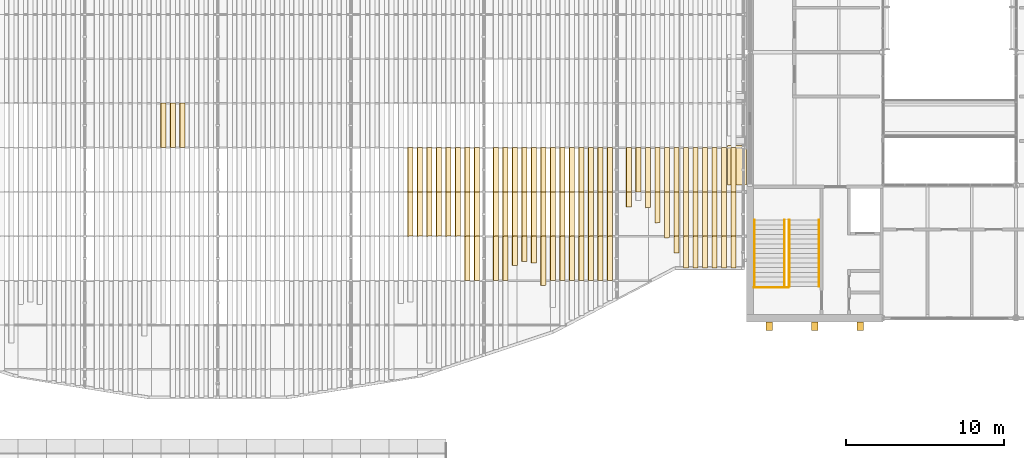
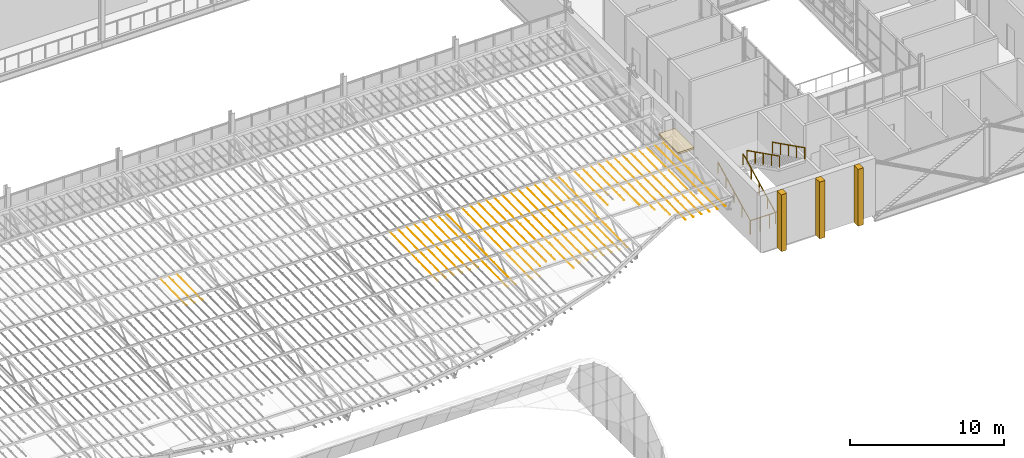
# One storey, part 122 of 129: 94 coverings, 5 railings.
"""IFC4 building model written with IfcOpenShell, lengths in metres."""

from ifc_helpers import new_model, si_unit, direction, frame, origin, origin_2d, place, context, subcontext, project, spatial, polyline, rectangle, circle, outline, extrude, material, layer, layer_set, material_profile, profile_set, type_object, element, save


model = new_model("IFC4")

# Units and contexts
model_context = context("Model", 3, precision=1e-05, world=origin(), true_north=direction((0.0, 1.0)))
body_context = subcontext(model_context, "Body", "Model", "MODEL_VIEW")
ifc_project = project(units=[si_unit("LENGTHUNIT", "METRE"), si_unit("AREAUNIT", "SQUARE_METRE"), si_unit("VOLUMEUNIT", "CUBIC_METRE"), si_unit("PLANEANGLEUNIT", "RADIAN"), si_unit("MASSUNIT", "GRAM", prefix="KILO")], contexts=[model_context])

# Site, building, storey
site_placement = place(None, origin())
site = spatial("IfcSite", under=ifc_project, at=site_placement, CompositionType="ELEMENT")
building_placement = place(site_placement, origin())
building = spatial("IfcBuilding", under=site, at=building_placement, Name="Ardhachandra Cancer Care Centre", CompositionType="ELEMENT")
storey_placement = place(building_placement, frame((0.0, 0.0, 4.5)))
storey = spatial("IfcBuildingStorey", under=building, at=storey_placement, Name="L01", CompositionType="ELEMENT", Elevation=4.5)

# Railing
ifc_material_1 = material(Name="Steel E250 (IS 2062)", Category="steel")
railing_type_1 = type_object("IfcRailingType", Name="Guard 1100", PredefinedType="GUARDRAIL", material=ifc_material_1)
railing_placement = place(storey_placement, frame((111.85498046875, 31.340087890625, 0.0)))
element("IfcRailing", 1, at=railing_placement, inside=storey, type_object=railing_type_1, Name="Stair well guard K11 L01", PredefinedType="GUARDRAIL", context=body_context, shape_type="SweptSolid", body=[
    extrude(circle(Radius=0.02392578125, at=origin_2d()), frame((0.0, 0.0, 1.076171875), z_axis=(1.0, 0.0, 0.0), x_axis=(0.0, 1.0, 0.0)), (0.0, 0.0, 1.0), 2.169921875),
    extrude(circle(Radius=0.02099609375, at=origin_2d()), origin(), (0.0, 0.0, 1.0), 1.052001953125),
    extrude(circle(Radius=0.02099609375, at=origin_2d()), frame((0.723388671875, 0.0, 0.0)), (0.0, 0.0, 1.0), 1.052001953125),
    extrude(circle(Radius=0.02099609375, at=origin_2d()), frame((1.446533203125, 0.0, 0.0)), (0.0, 0.0, 1.0), 1.052001953125),
    extrude(circle(Radius=0.02099609375, at=origin_2d()), frame((2.169921875, 0.0, 0.0)), (0.0, 0.0, 1.0), 1.052001953125),
])

# Coverings
ifc_material_2 = material(Name="Anodised aluminium", Category="aluminium")
ifc_material_profile = material_profile(ifc_material_2, outline(polyline([(-0.01220703125, 0.0), (0.01220703125, 0.0), (0.327392578125, -0.449951171875), (0.302978515625, -0.449951171875), (-0.01220703125, 0.0)])), Name="Louvre fin 450")
ifc_profile_set = profile_set([ifc_material_profile], Name="Anodised aluminium")
covering_type_1 = type_object("IfcCoveringType", Name="Louvre fin 450", PredefinedType="CLADDING", material=ifc_profile_set)
for number, where, z_axis, x_axis, name in (
    (2, (74.39990234375, 42.97509765625, 2.51953125), (0.0, -0.999798977995, -0.02005002746), (1.0, 0.0, 0.0), "Louvre fin 50-5"),
    (3, (75.0, 42.97509765625, 2.51953125), (0.0, -0.999798977995, -0.02005002746), (1.0, 0.0, 0.0), "Louvre fin 51-5"),
    (4, (75.60009765625, 42.97509765625, 2.51953125), (0.0, -0.999798977995, -0.02005002746), (1.0, 0.0, 0.0), "Louvre fin 52-5"),
    (5, (90.0, 40.175048828125, 2.46337890625), (0.0, -0.999800721691, -0.019962888244), (1.0, 0.0, 0.0), "Louvre fin 76-6"),
    (6, (90.0, 37.375, 2.407470703125), (0.0, -0.999800721691, -0.019962888244), (1.0, 0.0, 0.0), "Louvre fin 76-7"),
    (7, (90.60009765625, 40.175048828125, 2.46337890625), (0.0, -0.999800721691, -0.019962888244), (1.0, 0.0, 0.0), "Louvre fin 77-6"),
    (8, (90.60009765625, 37.375, 2.407470703125), (0.0, -0.999800721691, -0.019962888244), (1.0, 0.0, 0.0), "Louvre fin 77-7"),
    (9, (91.199951171875, 40.175048828125, 2.46337890625), (0.0, -0.999800721691, -0.019962888244), (1.0, 0.0, 0.0), "Louvre fin 78-6"),
    (10, (91.199951171875, 37.375, 2.407470703125), (0.0, -0.999800721691, -0.019962888244), (1.0, 0.0, 0.0), "Louvre fin 78-7"),
    (11, (91.800048828125, 40.175048828125, 2.46337890625), (0.0, -0.999800721691, -0.019962888244), (1.0, 0.0, 0.0), "Louvre fin 79-6"),
    (12, (91.800048828125, 37.375, 2.407470703125), (0.0, -0.999800721691, -0.019962888244), (1.0, 0.0, 0.0), "Louvre fin 79-7"),
    (13, (92.39990234375, 40.175048828125, 2.46337890625), (0.0, -0.999800721691, -0.019962888244), (1.0, 0.0, 0.0), "Louvre fin 80-6"),
    (14, (92.39990234375, 37.375, 2.407470703125), (0.0, -0.999800721691, -0.019962888244), (1.0, 0.0, 0.0), "Louvre fin 80-7"),
    (15, (93.0, 40.175048828125, 2.46337890625), (0.0, -0.999800721691, -0.019962888244), (1.0, 0.0, 0.0), "Louvre fin 81-6"),
    (16, (93.0, 37.375, 2.407470703125), (0.0, -0.999800721691, -0.019962888244), (1.0, 0.0, 0.0), "Louvre fin 81-7"),
    (17, (93.60009765625, 40.175048828125, 2.46337890625), (0.0, -0.999800721691, -0.019962888244), (1.0, 0.0, 0.0), "Louvre fin 82-6"),
    (18, (93.60009765625, 37.375, 2.407470703125), (0.0, -0.999800721691, -0.019962888244), (1.0, 0.0, 0.0), "Louvre fin 82-7"),
    (19, (93.60009765625, 34.574951171875, 2.3515625), (0.0, -0.999798977995, -0.02005002746), (1.0, 0.0, 0.0), "Louvre fin 82-8"),
    (20, (94.199951171875, 40.175048828125, 2.46337890625), (0.0, -0.999800721691, -0.019962888244), (1.0, 0.0, 0.0), "Louvre fin 83-6"),
    (21, (94.199951171875, 37.375, 2.407470703125), (0.0, -0.999800721691, -0.019962888244), (1.0, 0.0, 0.0), "Louvre fin 83-7"),
    (22, (94.199951171875, 34.574951171875, 2.3515625), (0.0, -0.999798977995, -0.02005002746), (1.0, 0.0, 0.0), "Louvre fin 83-8"),
    (23, (95.39990234375, 40.175048828125, 2.46337890625), (0.0, -0.999800721691, -0.019962888244), (1.0, 0.0, 0.0), "Louvre fin 85-6"),
    (24, (95.39990234375, 37.375, 2.407470703125), (0.0, -0.999800721691, -0.019962888244), (1.0, 0.0, 0.0), "Louvre fin 85-7"),
    (25, (95.39990234375, 34.574951171875, 2.3515625), (0.0, -0.999798977995, -0.02005002746), (1.0, 0.0, 0.0), "Louvre fin 85-8"),
    (26, (96.0, 40.175048828125, 2.46337890625), (0.0, -0.999800721691, -0.019962888244), (1.0, 0.0, 0.0), "Louvre fin 86-6"),
    (27, (96.0, 37.375, 2.407470703125), (0.0, -0.999800721691, -0.019962888244), (1.0, 0.0, 0.0), "Louvre fin 86-7"),
    (28, (96.0, 34.574951171875, 2.3515625), (0.0, -0.999798977995, -0.02005002746), (1.0, 0.0, 0.0), "Louvre fin 86-8"),
    (29, (96.60009765625, 40.175048828125, 2.46337890625), (0.0, -0.999800721691, -0.019962888244), (1.0, 0.0, 0.0), "Louvre fin 87-6"),
    (30, (96.60009765625, 37.375, 2.407470703125), (0.0, -0.999800721691, -0.019962888244), (1.0, 0.0, 0.0), "Louvre fin 87-7"),
):
    element("IfcCovering", number, at=place(storey_placement, frame(where, z_axis=z_axis, x_axis=x_axis)), inside=storey, type_object=covering_type_1, Name=name, PredefinedType="CLADDING", context=body_context, shape_type="SweptSolid", body=[
        extrude(outline(polyline([(-0.01220703125, 0.0), (0.01220703125, 0.0), (0.327392578125, -0.449951171875), (0.302978515625, -0.449951171875), (-0.01220703125, 0.0)])), origin(), (0.0, 0.0, 1.0), 2.800537109375),
    ])
covering_1_placement = place(storey_placement, frame((96.60009765625, 34.574951171875, 2.3515625), z_axis=(0.0, -0.999798844668, -0.020056674725), x_axis=(1.0, 0.0, 0.0)))
element("IfcCovering", 31, at=covering_1_placement, inside=storey, type_object=covering_type_1, Name="Louvre fin 87-8", PredefinedType="CLADDING", context=body_context, shape_type="SweptSolid", body=[
    extrude(outline(polyline([(-0.01220703125, 0.0), (0.01220703125, 0.0), (0.327392578125, -0.449951171875), (0.302978515625, -0.449951171875), (-0.01220703125, 0.0)])), origin(), (0.0, 0.0, 1.0), 1.850341796875),
])
for number, where, z_axis, x_axis, name in (
    (32, (97.199951171875, 40.175048828125, 2.46337890625), (0.0, -0.999800721691, -0.019962888244), (1.0, 0.0, 0.0), "Louvre fin 88-6"),
    (33, (97.199951171875, 37.375, 2.407470703125), (0.0, -0.999800721691, -0.019962888244), (1.0, 0.0, 0.0), "Louvre fin 88-7"),
):
    element("IfcCovering", number, at=place(storey_placement, frame(where, z_axis=z_axis, x_axis=x_axis)), inside=storey, type_object=covering_type_1, Name=name, PredefinedType="CLADDING", context=body_context, shape_type="SweptSolid", body=[
        extrude(outline(polyline([(-0.01220703125, 0.0), (0.01220703125, 0.0), (0.327392578125, -0.449951171875), (0.302978515625, -0.449951171875), (-0.01220703125, 0.0)])), origin(), (0.0, 0.0, 1.0), 2.800537109375),
    ])
covering_2_placement = place(storey_placement, frame((97.199951171875, 34.574951171875, 2.3515625), z_axis=(0.0, -0.999800242951, -0.019986850576), x_axis=(1.0, 0.0, 0.0)))
element("IfcCovering", 34, at=covering_2_placement, inside=storey, type_object=covering_type_1, Name="Louvre fin 88-8", PredefinedType="CLADDING", context=body_context, shape_type="SweptSolid", body=[
    extrude(outline(polyline([(-0.01220703125, 0.0), (0.01220703125, 0.0), (0.327392578125, -0.449951171875), (0.302978515625, -0.449951171875), (-0.01220703125, 0.0)])), origin(), (0.0, 0.0, 1.0), 1.60009765625),
])
for number, where, z_axis, x_axis, name in (
    (35, (97.800048828125, 40.175048828125, 2.46337890625), (0.0, -0.999800721691, -0.019962888244), (1.0, 0.0, 0.0), "Louvre fin 89-6"),
    (36, (97.800048828125, 37.375, 2.407470703125), (0.0, -0.999800721691, -0.019962888244), (1.0, 0.0, 0.0), "Louvre fin 89-7"),
):
    element("IfcCovering", number, at=place(storey_placement, frame(where, z_axis=z_axis, x_axis=x_axis)), inside=storey, type_object=covering_type_1, Name=name, PredefinedType="CLADDING", context=body_context, shape_type="SweptSolid", body=[
        extrude(outline(polyline([(-0.01220703125, 0.0), (0.01220703125, 0.0), (0.327392578125, -0.449951171875), (0.302978515625, -0.449951171875), (-0.01220703125, 0.0)])), origin(), (0.0, 0.0, 1.0), 2.800537109375),
    ])
covering_3_placement = place(storey_placement, frame((97.800048828125, 34.574951171875, 2.3515625), z_axis=(0.0, -0.999797930097, -0.020102213157), x_axis=(1.0, 0.0, 0.0)))
element("IfcCovering", 37, at=covering_3_placement, inside=storey, type_object=covering_type_1, Name="Louvre fin 89-8", PredefinedType="CLADDING", context=body_context, shape_type="SweptSolid", body=[
    extrude(outline(polyline([(-0.01220703125, 0.0), (0.01220703125, 0.0), (0.327392578125, -0.449951171875), (0.302978515625, -0.449951171875), (-0.01220703125, 0.0)])), origin(), (0.0, 0.0, 1.0), 1.7001953125),
])
for number, where, z_axis, x_axis, name in (
    (38, (98.39990234375, 40.175048828125, 2.46337890625), (0.0, -0.999800721691, -0.019962888244), (1.0, 0.0, 0.0), "Louvre fin 90-6"),
    (39, (98.39990234375, 37.375, 2.407470703125), (0.0, -0.999800721691, -0.019962888244), (1.0, 0.0, 0.0), "Louvre fin 90-7"),
):
    element("IfcCovering", number, at=place(storey_placement, frame(where, z_axis=z_axis, x_axis=x_axis)), inside=storey, type_object=covering_type_1, Name=name, PredefinedType="CLADDING", context=body_context, shape_type="SweptSolid", body=[
        extrude(outline(polyline([(-0.01220703125, 0.0), (0.01220703125, 0.0), (0.327392578125, -0.449951171875), (0.302978515625, -0.449951171875), (-0.01220703125, 0.0)])), origin(), (0.0, 0.0, 1.0), 2.800537109375),
    ])
covering_4_placement = place(storey_placement, frame((98.39990234375, 34.574951171875, 2.3515625), z_axis=(0.0, -0.999799965515, -0.020000723891), x_axis=(1.0, 0.0, 0.0)))
element("IfcCovering", 40, at=covering_4_placement, inside=storey, type_object=covering_type_1, Name="Louvre fin 90-8", PredefinedType="CLADDING", context=body_context, shape_type="SweptSolid", body=[
    extrude(outline(polyline([(-0.01220703125, 0.0), (0.01220703125, 0.0), (0.327392578125, -0.449951171875), (0.302978515625, -0.449951171875), (-0.01220703125, 0.0)])), origin(), (0.0, 0.0, 1.0), 3.1005859375),
])
for number, where, z_axis, x_axis, name in (
    (41, (99.0, 40.175048828125, 2.46337890625), (0.0, -0.999800721691, -0.019962888244), (1.0, 0.0, 0.0), "Louvre fin 91-6"),
    (42, (99.0, 37.375, 2.407470703125), (0.0, -0.999800721691, -0.019962888244), (1.0, 0.0, 0.0), "Louvre fin 91-7"),
    (43, (99.0, 34.574951171875, 2.3515625), (0.0, -0.999798977995, -0.02005002746), (1.0, 0.0, 0.0), "Louvre fin 91-8"),
    (44, (99.60009765625, 40.175048828125, 2.46337890625), (0.0, -0.999800721691, -0.019962888244), (1.0, 0.0, 0.0), "Louvre fin 92-6"),
    (45, (99.60009765625, 37.375, 2.407470703125), (0.0, -0.999800721691, -0.019962888244), (1.0, 0.0, 0.0), "Louvre fin 92-7"),
    (46, (99.60009765625, 34.574951171875, 2.3515625), (0.0, -0.999798977995, -0.02005002746), (1.0, 0.0, 0.0), "Louvre fin 92-8"),
    (47, (100.199951171875, 40.175048828125, 2.46337890625), (0.0, -0.999800721691, -0.019962888244), (1.0, 0.0, 0.0), "Louvre fin 93-6"),
    (48, (100.199951171875, 37.375, 2.407470703125), (0.0, -0.999800721691, -0.019962888244), (1.0, 0.0, 0.0), "Louvre fin 93-7"),
    (49, (100.199951171875, 34.574951171875, 2.3515625), (0.0, -0.999798977995, -0.02005002746), (1.0, 0.0, 0.0), "Louvre fin 93-8"),
    (50, (100.800048828125, 40.175048828125, 2.46337890625), (0.0, -0.999800721691, -0.019962888244), (1.0, 0.0, 0.0), "Louvre fin 94-6"),
    (51, (100.800048828125, 37.375, 2.407470703125), (0.0, -0.999800721691, -0.019962888244), (1.0, 0.0, 0.0), "Louvre fin 94-7"),
    (52, (100.800048828125, 34.574951171875, 2.3515625), (0.0, -0.999798977995, -0.02005002746), (1.0, 0.0, 0.0), "Louvre fin 94-8"),
    (53, (101.39990234375, 40.175048828125, 2.46337890625), (0.0, -0.999800721691, -0.019962888244), (1.0, 0.0, 0.0), "Louvre fin 95-6"),
    (54, (101.39990234375, 37.375, 2.407470703125), (0.0, -0.999800721691, -0.019962888244), (1.0, 0.0, 0.0), "Louvre fin 95-7"),
    (55, (101.39990234375, 34.574951171875, 2.3515625), (0.0, -0.999798977995, -0.02005002746), (1.0, 0.0, 0.0), "Louvre fin 95-8"),
    (56, (102.0, 40.175048828125, 2.46337890625), (0.0, -0.999800721691, -0.019962888244), (1.0, 0.0, 0.0), "Louvre fin 96-6"),
    (57, (102.0, 37.375, 2.407470703125), (0.0, -0.999800721691, -0.019962888244), (1.0, 0.0, 0.0), "Louvre fin 96-7"),
    (58, (102.0, 34.574951171875, 2.3515625), (0.0, -0.999798977995, -0.02005002746), (1.0, 0.0, 0.0), "Louvre fin 96-8"),
    (59, (102.60009765625, 40.175048828125, 2.46337890625), (0.0, -0.999800721691, -0.019962888244), (1.0, 0.0, 0.0), "Louvre fin 97-6"),
    (60, (102.60009765625, 37.375, 2.407470703125), (0.0, -0.999800721691, -0.019962888244), (1.0, 0.0, 0.0), "Louvre fin 97-7"),
    (61, (102.60009765625, 34.574951171875, 2.3515625), (0.0, -0.999798977995, -0.02005002746), (1.0, 0.0, 0.0), "Louvre fin 97-8"),
    (62, (103.800048828125, 40.175048828125, 2.46337890625), (0.0, -0.999800721691, -0.019962888244), (1.0, 0.0, 0.0), "Louvre fin 99-6"),
):
    element("IfcCovering", number, at=place(storey_placement, frame(where, z_axis=z_axis, x_axis=x_axis)), inside=storey, type_object=covering_type_1, Name=name, PredefinedType="CLADDING", context=body_context, shape_type="SweptSolid", body=[
        extrude(outline(polyline([(-0.01220703125, 0.0), (0.01220703125, 0.0), (0.327392578125, -0.449951171875), (0.302978515625, -0.449951171875), (-0.01220703125, 0.0)])), origin(), (0.0, 0.0, 1.0), 2.800537109375),
    ])
covering_5_placement = place(storey_placement, frame((103.800048828125, 37.375, 2.407470703125), z_axis=(0.0, -0.999799134255, -0.020042233994), x_axis=(1.0, 0.0, 0.0)))
element("IfcCovering", 63, at=covering_5_placement, inside=storey, type_object=covering_type_1, Name="Louvre fin 99-7", PredefinedType="CLADDING", context=body_context, shape_type="SweptSolid", body=[
    extrude(outline(polyline([(-0.01220703125, 0.0), (0.01220703125, 0.0), (0.327392578125, -0.449951171875), (0.302978515625, -0.449951171875), (-0.01220703125, 0.0)])), origin(), (0.0, 0.0, 1.0), 0.9501953125),
])
for number, where, z_axis, x_axis, name in (
    (64, (104.39990234375, 40.175048828125, 2.46337890625), (0.0, -0.999800721691, -0.019962888244), (1.0, 0.0, 0.0), "Louvre fin 100-6"),
    (65, (105.0, 40.175048828125, 2.46337890625), (0.0, -0.999800721691, -0.019962888244), (1.0, 0.0, 0.0), "Louvre fin 101-6"),
):
    element("IfcCovering", number, at=place(storey_placement, frame(where, z_axis=z_axis, x_axis=x_axis)), inside=storey, type_object=covering_type_1, Name=name, PredefinedType="CLADDING", context=body_context, shape_type="SweptSolid", body=[
        extrude(outline(polyline([(-0.01220703125, 0.0), (0.01220703125, 0.0), (0.327392578125, -0.449951171875), (0.302978515625, -0.449951171875), (-0.01220703125, 0.0)])), origin(), (0.0, 0.0, 1.0), 2.800537109375),
    ])
covering_6_placement = place(storey_placement, frame((105.0, 37.375, 2.407470703125), z_axis=(0.0, -0.999799669399, -0.020015520725), x_axis=(1.0, 0.0, 0.0)))
element("IfcCovering", 66, at=covering_6_placement, inside=storey, type_object=covering_type_1, Name="Louvre fin 101-7", PredefinedType="CLADDING", context=body_context, shape_type="SweptSolid", body=[
    extrude(outline(polyline([(-0.01220703125, 0.0), (0.01220703125, 0.0), (0.327392578125, -0.449951171875), (0.302978515625, -0.449951171875), (-0.01220703125, 0.0)])), origin(), (0.0, 0.0, 1.0), 1.000244140625),
])
covering_7_placement = place(storey_placement, frame((105.60009765625, 40.175048828125, 2.46337890625), z_axis=(0.0, -0.999800721691, -0.019962888244), x_axis=(1.0, 0.0, 0.0)))
element("IfcCovering", 67, at=covering_7_placement, inside=storey, type_object=covering_type_1, Name="Louvre fin 102-6", PredefinedType="CLADDING", context=body_context, shape_type="SweptSolid", body=[
    extrude(outline(polyline([(-0.01220703125, 0.0), (0.01220703125, 0.0), (0.327392578125, -0.449951171875), (0.302978515625, -0.449951171875), (-0.01220703125, 0.0)])), origin(), (0.0, 0.0, 1.0), 2.800537109375),
])
covering_8_placement = place(storey_placement, frame((105.60009765625, 37.375, 2.407470703125), z_axis=(0.0, -0.999799408784, -0.020028534544), x_axis=(1.0, 0.0, 0.0)))
element("IfcCovering", 68, at=covering_8_placement, inside=storey, type_object=covering_type_1, Name="Louvre fin 102-7", PredefinedType="CLADDING", context=body_context, shape_type="SweptSolid", body=[
    extrude(outline(polyline([(-0.01220703125, 0.0), (0.01220703125, 0.0), (0.327392578125, -0.449951171875), (0.302978515625, -0.449951171875), (-0.01220703125, 0.0)])), origin(), (0.0, 0.0, 1.0), 1.950439453125),
])
covering_9_placement = place(storey_placement, frame((106.199951171875, 40.175048828125, 2.46337890625), z_axis=(0.0, -0.999800721691, -0.019962888244), x_axis=(1.0, 0.0, 0.0)))
element("IfcCovering", 69, at=covering_9_placement, inside=storey, type_object=covering_type_1, Name="Louvre fin 103-6", PredefinedType="CLADDING", context=body_context, shape_type="SweptSolid", body=[
    extrude(outline(polyline([(-0.01220703125, 0.0), (0.01220703125, 0.0), (0.327392578125, -0.449951171875), (0.302978515625, -0.449951171875), (-0.01220703125, 0.0)])), origin(), (0.0, 0.0, 1.0), 2.800537109375),
])
covering_10_placement = place(storey_placement, frame((106.199951171875, 37.375, 2.407470703125), z_axis=(0.0, -0.999801001225, -0.019948883422), x_axis=(1.0, 0.0, 0.0)))
element("IfcCovering", 70, at=covering_10_placement, inside=storey, type_object=covering_type_1, Name="Louvre fin 103-7", PredefinedType="CLADDING", context=body_context, shape_type="SweptSolid", body=[
    extrude(outline(polyline([(-0.01220703125, 0.0), (0.01220703125, 0.0), (0.327392578125, -0.449951171875), (0.302978515625, -0.449951171875), (-0.01220703125, 0.0)])), origin(), (0.0, 0.0, 1.0), 2.900390625),
])
for number, where, z_axis, x_axis, name in (
    (71, (106.800048828125, 40.175048828125, 2.46337890625), (0.0, -0.999800721691, -0.019962888244), (1.0, 0.0, 0.0), "Louvre fin 104-6"),
    (72, (106.800048828125, 37.375, 2.407470703125), (0.0, -0.999800721691, -0.019962888244), (1.0, 0.0, 0.0), "Louvre fin 104-7"),
):
    element("IfcCovering", number, at=place(storey_placement, frame(where, z_axis=z_axis, x_axis=x_axis)), inside=storey, type_object=covering_type_1, Name=name, PredefinedType="CLADDING", context=body_context, shape_type="SweptSolid", body=[
        extrude(outline(polyline([(-0.01220703125, 0.0), (0.01220703125, 0.0), (0.327392578125, -0.449951171875), (0.302978515625, -0.449951171875), (-0.01220703125, 0.0)])), origin(), (0.0, 0.0, 1.0), 2.800537109375),
    ])
covering_11_placement = place(storey_placement, frame((106.800048828125, 34.574951171875, 2.3515625), z_axis=(0.0, -0.999800152915, -0.019991353906), x_axis=(1.0, 0.0, 0.0)))
element("IfcCovering", 73, at=covering_11_placement, inside=storey, type_object=covering_type_1, Name="Louvre fin 104-8", PredefinedType="CLADDING", context=body_context, shape_type="SweptSolid", body=[
    extrude(outline(polyline([(-0.01220703125, 0.0), (0.01220703125, 0.0), (0.327392578125, -0.449951171875), (0.302978515625, -0.449951171875), (-0.01220703125, 0.0)])), origin(), (0.0, 0.0, 1.0), 1.05029296875),
])
for number, where, z_axis, x_axis, name in (
    (74, (107.39990234375, 40.175048828125, 2.46337890625), (0.0, -0.999800721691, -0.019962888244), (1.0, 0.0, 0.0), "Louvre fin 105-6"),
    (75, (107.39990234375, 37.375, 2.407470703125), (0.0, -0.999800721691, -0.019962888244), (1.0, 0.0, 0.0), "Louvre fin 105-7"),
):
    element("IfcCovering", number, at=place(storey_placement, frame(where, z_axis=z_axis, x_axis=x_axis)), inside=storey, type_object=covering_type_1, Name=name, PredefinedType="CLADDING", context=body_context, shape_type="SweptSolid", body=[
        extrude(outline(polyline([(-0.01220703125, 0.0), (0.01220703125, 0.0), (0.327392578125, -0.449951171875), (0.302978515625, -0.449951171875), (-0.01220703125, 0.0)])), origin(), (0.0, 0.0, 1.0), 2.800537109375),
    ])
covering_12_placement = place(storey_placement, frame((107.39990234375, 34.574951171875, 2.3515625), z_axis=(0.0, -0.999798314739, -0.020083073602), x_axis=(1.0, 0.0, 0.0)))
element("IfcCovering", 76, at=covering_12_placement, inside=storey, type_object=covering_type_1, Name="Louvre fin 105-8", PredefinedType="CLADDING", context=body_context, shape_type="SweptSolid", body=[
    extrude(outline(polyline([(-0.01220703125, 0.0), (0.01220703125, 0.0), (0.327392578125, -0.449951171875), (0.302978515625, -0.449951171875), (-0.01220703125, 0.0)])), origin(), (0.0, 0.0, 1.0), 2.01806640625),
])
for number, where, z_axis, x_axis, name in (
    (77, (108.0, 40.175048828125, 2.46337890625), (0.0, -0.999800721691, -0.019962888244), (1.0, 0.0, 0.0), "Louvre fin 106-6"),
    (78, (108.0, 37.375, 2.407470703125), (0.0, -0.999800721691, -0.019962888244), (1.0, 0.0, 0.0), "Louvre fin 106-7"),
):
    element("IfcCovering", number, at=place(storey_placement, frame(where, z_axis=z_axis, x_axis=x_axis)), inside=storey, type_object=covering_type_1, Name=name, PredefinedType="CLADDING", context=body_context, shape_type="SweptSolid", body=[
        extrude(outline(polyline([(-0.01220703125, 0.0), (0.01220703125, 0.0), (0.327392578125, -0.449951171875), (0.302978515625, -0.449951171875), (-0.01220703125, 0.0)])), origin(), (0.0, 0.0, 1.0), 2.800537109375),
    ])
covering_13_placement = place(storey_placement, frame((108.0, 34.574951171875, 2.3515625), z_axis=(0.0, -0.999798314739, -0.020083073602), x_axis=(1.0, 0.0, 0.0)))
element("IfcCovering", 79, at=covering_13_placement, inside=storey, type_object=covering_type_1, Name="Louvre fin 106-8", PredefinedType="CLADDING", context=body_context, shape_type="SweptSolid", body=[
    extrude(outline(polyline([(-0.01220703125, 0.0), (0.01220703125, 0.0), (0.327392578125, -0.449951171875), (0.302978515625, -0.449951171875), (-0.01220703125, 0.0)])), origin(), (0.0, 0.0, 1.0), 2.01806640625),
])
for number, where, z_axis, x_axis, name in (
    (80, (108.60009765625, 40.175048828125, 2.46337890625), (0.0, -0.999800721691, -0.019962888244), (1.0, 0.0, 0.0), "Louvre fin 107-6"),
    (81, (108.60009765625, 37.375, 2.407470703125), (0.0, -0.999800721691, -0.019962888244), (1.0, 0.0, 0.0), "Louvre fin 107-7"),
):
    element("IfcCovering", number, at=place(storey_placement, frame(where, z_axis=z_axis, x_axis=x_axis)), inside=storey, type_object=covering_type_1, Name=name, PredefinedType="CLADDING", context=body_context, shape_type="SweptSolid", body=[
        extrude(outline(polyline([(-0.01220703125, 0.0), (0.01220703125, 0.0), (0.327392578125, -0.449951171875), (0.302978515625, -0.449951171875), (-0.01220703125, 0.0)])), origin(), (0.0, 0.0, 1.0), 2.800537109375),
    ])
covering_14_placement = place(storey_placement, frame((108.60009765625, 34.574951171875, 2.3515625), z_axis=(0.0, -0.999798314739, -0.020083073602), x_axis=(1.0, 0.0, 0.0)))
element("IfcCovering", 82, at=covering_14_placement, inside=storey, type_object=covering_type_1, Name="Louvre fin 107-8", PredefinedType="CLADDING", context=body_context, shape_type="SweptSolid", body=[
    extrude(outline(polyline([(-0.01220703125, 0.0), (0.01220703125, 0.0), (0.327392578125, -0.449951171875), (0.302978515625, -0.449951171875), (-0.01220703125, 0.0)])), origin(), (0.0, 0.0, 1.0), 2.01806640625),
])
for number, where, z_axis, x_axis, name in (
    (83, (109.199951171875, 40.175048828125, 2.46337890625), (0.0, -0.999800721691, -0.019962888244), (1.0, 0.0, 0.0), "Louvre fin 108-6"),
    (84, (109.199951171875, 37.375, 2.407470703125), (0.0, -0.999800721691, -0.019962888244), (1.0, 0.0, 0.0), "Louvre fin 108-7"),
):
    element("IfcCovering", number, at=place(storey_placement, frame(where, z_axis=z_axis, x_axis=x_axis)), inside=storey, type_object=covering_type_1, Name=name, PredefinedType="CLADDING", context=body_context, shape_type="SweptSolid", body=[
        extrude(outline(polyline([(-0.01220703125, 0.0), (0.01220703125, 0.0), (0.327392578125, -0.449951171875), (0.302978515625, -0.449951171875), (-0.01220703125, 0.0)])), origin(), (0.0, 0.0, 1.0), 2.800537109375),
    ])
covering_15_placement = place(storey_placement, frame((109.199951171875, 34.574951171875, 2.3515625), z_axis=(0.0, -0.999798314739, -0.020083073602), x_axis=(1.0, 0.0, 0.0)))
element("IfcCovering", 85, at=covering_15_placement, inside=storey, type_object=covering_type_1, Name="Louvre fin 108-8", PredefinedType="CLADDING", context=body_context, shape_type="SweptSolid", body=[
    extrude(outline(polyline([(-0.01220703125, 0.0), (0.01220703125, 0.0), (0.327392578125, -0.449951171875), (0.302978515625, -0.449951171875), (-0.01220703125, 0.0)])), origin(), (0.0, 0.0, 1.0), 2.01806640625),
])
for number, where, z_axis, x_axis, name in (
    (86, (109.800048828125, 40.175048828125, 2.46337890625), (0.0, -0.999800721691, -0.019962888244), (1.0, 0.0, 0.0), "Louvre fin 109-6"),
    (87, (109.800048828125, 37.375, 2.407470703125), (0.0, -0.999800721691, -0.019962888244), (1.0, 0.0, 0.0), "Louvre fin 109-7"),
):
    element("IfcCovering", number, at=place(storey_placement, frame(where, z_axis=z_axis, x_axis=x_axis)), inside=storey, type_object=covering_type_1, Name=name, PredefinedType="CLADDING", context=body_context, shape_type="SweptSolid", body=[
        extrude(outline(polyline([(-0.01220703125, 0.0), (0.01220703125, 0.0), (0.327392578125, -0.449951171875), (0.302978515625, -0.449951171875), (-0.01220703125, 0.0)])), origin(), (0.0, 0.0, 1.0), 2.800537109375),
    ])
covering_16_placement = place(storey_placement, frame((109.800048828125, 34.574951171875, 2.3515625), z_axis=(0.0, -0.999798314739, -0.020083073602), x_axis=(1.0, 0.0, 0.0)))
element("IfcCovering", 88, at=covering_16_placement, inside=storey, type_object=covering_type_1, Name="Louvre fin 109-8", PredefinedType="CLADDING", context=body_context, shape_type="SweptSolid", body=[
    extrude(outline(polyline([(-0.01220703125, 0.0), (0.01220703125, 0.0), (0.327392578125, -0.449951171875), (0.302978515625, -0.449951171875), (-0.01220703125, 0.0)])), origin(), (0.0, 0.0, 1.0), 2.01806640625),
])
for number, where, z_axis, x_axis, name in (
    (89, (110.39990234375, 40.175048828125, 2.46337890625), (0.0, -0.999800721691, -0.019962888244), (1.0, 0.0, 0.0), "Louvre fin 110-6"),
    (90, (110.39990234375, 37.375, 2.407470703125), (0.0, -0.999800721691, -0.019962888244), (1.0, 0.0, 0.0), "Louvre fin 110-7"),
):
    element("IfcCovering", number, at=place(storey_placement, frame(where, z_axis=z_axis, x_axis=x_axis)), inside=storey, type_object=covering_type_1, Name=name, PredefinedType="CLADDING", context=body_context, shape_type="SweptSolid", body=[
        extrude(outline(polyline([(-0.01220703125, 0.0), (0.01220703125, 0.0), (0.327392578125, -0.449951171875), (0.302978515625, -0.449951171875), (-0.01220703125, 0.0)])), origin(), (0.0, 0.0, 1.0), 2.800537109375),
    ])
covering_17_placement = place(storey_placement, frame((110.39990234375, 34.574951171875, 2.3515625), z_axis=(0.0, -0.999798314739, -0.020083073602), x_axis=(1.0, 0.0, 0.0)))
element("IfcCovering", 91, at=covering_17_placement, inside=storey, type_object=covering_type_1, Name="Louvre fin 110-8", PredefinedType="CLADDING", context=body_context, shape_type="SweptSolid", body=[
    extrude(outline(polyline([(-0.01220703125, 0.0), (0.01220703125, 0.0), (0.327392578125, -0.449951171875), (0.302978515625, -0.449951171875), (-0.01220703125, 0.0)])), origin(), (0.0, 0.0, 1.0), 2.01806640625),
])
ifc_material_3 = material(Name="Precast Concrete M25", Category="concrete")
ifc_layer_1 = layer(ifc_material_3, 0.39990234375)
ifc_layer_set_1 = layer_set([ifc_layer_1], Name="Precast Concrete M25")
covering_type_2 = type_object("IfcCoveringType", Name="Precast concrete fin 400 x 550", PredefinedType="CLADDING", material=ifc_layer_set_1)
for number, where, z_axis, x_axis, name in (
    (92, (112.8125, 28.89990234375, 0.0), (0.0, 0.0, 1.0), (1.0, 0.0, 0.0), "Fin L01 core K11 1"),
    (93, (115.6875, 28.89990234375, 0.0), (0.0, 0.0, 1.0), (1.0, 0.0, 0.0), "Fin L01 core K11 2"),
    (94, (118.5625, 28.89990234375, 0.0), (0.0, 0.0, 1.0), (1.0, 0.0, 0.0), "Fin L01 core K11 3"),
):
    element("IfcCovering", number, at=place(storey_placement, frame(where, z_axis=z_axis, x_axis=x_axis)), inside=storey, type_object=covering_type_2, Name=name, PredefinedType="CLADDING", context=body_context, shape_type="SweptSolid", body=[
        extrude(rectangle(XDim=0.39990234375, YDim=0.550048828125, at=origin_2d()), origin(), (0.0, 0.0, 1.0), 4.5),
    ])
ifc_material_4 = material(Name="Precast Concrete M25", Category="concrete")
ifc_layer_2 = layer(ifc_material_4, 0.14990234375)
ifc_layer_set_2 = layer_set([ifc_layer_2], Name="Precast Concrete M25")
covering_type_3 = type_object("IfcCoveringType", Name="Precast sunshade band 1200 x 150", PredefinedType="CLADDING", material=ifc_layer_set_2)
covering_18_placement = place(storey_placement, frame((110.77490234375, 39.050048828125, 2.986083984375), z_axis=(0.0, 0.0, 1.0), x_axis=(0.0, 1.0, 0.0)))
element("IfcCovering", 95, at=covering_18_placement, inside=storey, type_object=covering_type_3, Name="Sunshade band L01 L01/w/0111600_0037800 1", PredefinedType="CLADDING", context=body_context, shape_type="SweptSolid", body=[
    extrude(rectangle(XDim=2.5, YDim=1.199951171875, at=origin_2d()), origin(), (0.0, 0.0, 1.0), 0.14990234375),
])

# Railings
ifc_material_5 = material(Name="Steel E250 (IS 2062)", Category="steel")
railing_type_2 = type_object("IfcRailingType", Name="Stair handrail 900", PredefinedType="HANDRAIL", material=ifc_material_5)
for number, where, name in (
    (96, (111.885009765625, 31.39990234375, 0.14990234375), "Handrail K11 L01-L02 flight 1 wall side"),
    (97, (113.77490234375, 31.39990234375, 0.14990234375), "Handrail K11 L01-L02 flight 1 well side"),
):
    element("IfcRailing", number, at=place(storey_placement, frame(where)), inside=storey, type_object=railing_type_2, Name=name, PredefinedType="HANDRAIL", context=body_context, shape_type="SweptSolid", body=[
        extrude(circle(Radius=0.02392578125, at=origin_2d()), frame((0.0, 0.0, 0.8759765625), z_axis=(0.0, 0.894427191, 0.4472135955), x_axis=(-1.0, 0.0, 0.0)), (0.0, 0.0, 1.0), 4.696044921875),
        extrude(circle(Radius=0.02099609375, at=origin_2d()), origin(), (0.0, 0.0, 1.0), 0.851806640625),
        extrude(circle(Radius=0.02099609375, at=origin_2d()), frame((0.0, 1.050048828125, 0.52490234375)), (0.0, 0.0, 1.0), 0.851806640625),
        extrude(circle(Radius=0.02099609375, at=origin_2d()), frame((0.0, 2.10009765625, 1.050048828125)), (0.0, 0.0, 1.0), 0.851806640625),
        extrude(circle(Radius=0.02099609375, at=origin_2d()), frame((0.0, 3.150146484375, 1.5751953125)), (0.0, 0.0, 1.0), 0.851806640625),
        extrude(circle(Radius=0.02099609375, at=origin_2d()), frame((0.0, 4.2001953125, 2.10009765625)), (0.0, 0.0, 1.0), 0.851806640625),
    ])
for number, where, name in (
    (98, (114.074951171875, 35.60009765625, 2.39990234375), "Handrail K11 L01-L02 flight 2 well side"),
    (99, (115.965087890625, 35.60009765625, 2.39990234375), "Handrail K11 L01-L02 flight 2 wall side"),
):
    element("IfcRailing", number, at=place(storey_placement, frame(where)), inside=storey, type_object=railing_type_2, Name=name, PredefinedType="HANDRAIL", context=body_context, shape_type="SweptSolid", body=[
        extrude(circle(Radius=0.02392578125, at=origin_2d()), frame((0.0, 0.0, 0.8759765625), z_axis=(0.0, -0.894427191, 0.4472135955), x_axis=(1.0, 0.0, 0.0)), (0.0, 0.0, 1.0), 4.696044921875),
        extrude(circle(Radius=0.02099609375, at=origin_2d()), origin(), (0.0, 0.0, 1.0), 0.851806640625),
        extrude(circle(Radius=0.02099609375, at=origin_2d()), frame((0.0, -1.050048828125, 0.52490234375)), (0.0, 0.0, 1.0), 0.851806640625),
        extrude(circle(Radius=0.02099609375, at=origin_2d()), frame((0.0, -2.10009765625, 1.050048828125)), (0.0, 0.0, 1.0), 0.851806640625),
        extrude(circle(Radius=0.02099609375, at=origin_2d()), frame((0.0, -3.150146484375, 1.5751953125)), (0.0, 0.0, 1.0), 0.851806640625),
        extrude(circle(Radius=0.02099609375, at=origin_2d()), frame((0.0, -4.2001953125, 2.10009765625)), (0.0, 0.0, 1.0), 0.851806640625),
    ])

save(model, "model.ifc")
